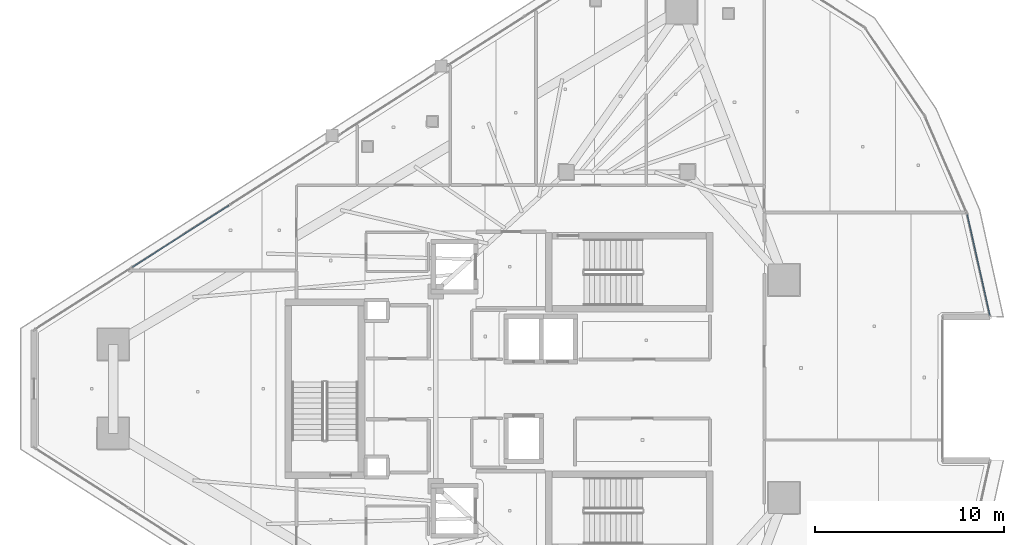
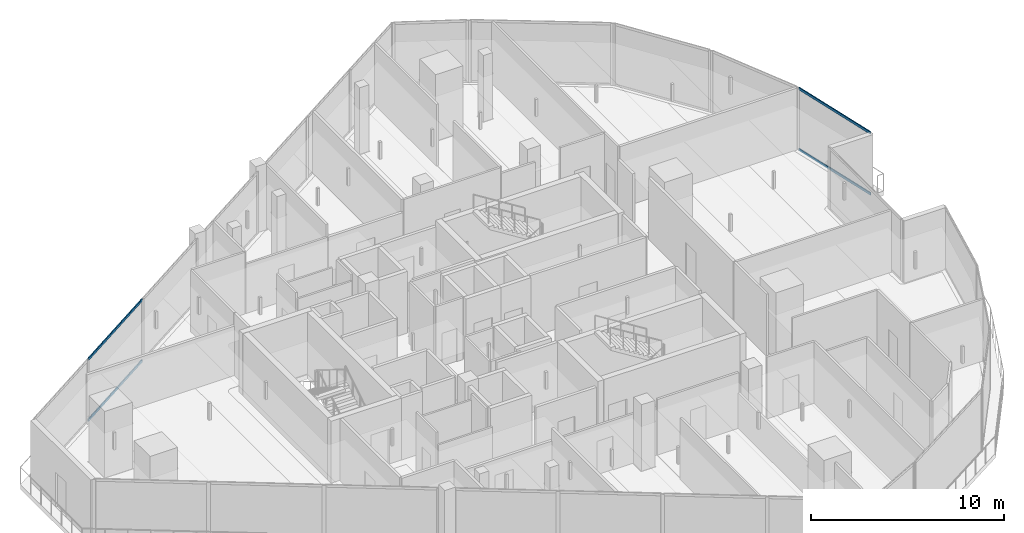
# One storey, part 14 of 33: 4 members, 2 elements without a shape of their own.
"""IFC4 building model written with IfcOpenShell, lengths in metres."""

import ifcopenshell
import ifcopenshell.guid

model = None  # the IFC model being written
_history = None  # IfcOwnerHistory: only IFC2X3 demands one
_inside = {}  # id of a spatial element -> (the spatial element, [elements in it])
_under = {}  # id of a project, library or spatial element -> (it, [spatial elements below it])
_declared = {}  # id of a project -> (the project, [libraries it declares])
_typed = {}  # id of a type object -> (the type object, [elements of that type])
_made_of = {}  # id of a material, layer set ... -> (it, [elements and type objects made of it])


def new_model(schema):
    """Start an empty IFC model of exactly this schema.

    Asked for "IFC4X3", IfcOpenShell would pick the latest addendum, in which some entities
    have other attributes; the version numbers below select the first issue.
    IFC2X3 requires an IfcOwnerHistory on every rooted entity: one is made here for all.
    """
    global model, _history
    if schema == "IFC4X3":
        model = ifcopenshell.file(schema_version=(4, 3, 0, 0))
    else:
        model = ifcopenshell.file(schema=schema)
    _inside.clear()
    _under.clear()
    _declared.clear()
    _typed.clear()
    _made_of.clear()
    _history = None
    if model.schema == "IFC2X3":
        org = make("IfcOrganization", Name="unknown")
        user = make(
            "IfcPersonAndOrganization",
            ThePerson=make("IfcPerson", FamilyName="unknown"),
            TheOrganization=org,
        )
        app = make(
            "IfcApplication",
            ApplicationDeveloper=org,
            Version="unknown",
            ApplicationFullName="unknown",
            ApplicationIdentifier="unknown",
        )
        _history = make(
            "IfcOwnerHistory",
            OwningUser=user,
            OwningApplication=app,
            ChangeAction="ADDED",
            CreationDate=0,
        )
    return model


def make(cls, **values):
    """One entity of the class cls with the attributes given. An attribute that is None is left unset."""
    return model.create_entity(
        cls, **{name: value for name, value in values.items() if value is not None}
    )


def rooted(cls, **values):
    """An entity with a GlobalId (a new one), such as an element, a storey or a relation."""
    return make(cls, GlobalId=ifcopenshell.guid.new(), OwnerHistory=_history, **values)


def si_unit(unit_type, name, prefix=None):
    """IfcSIUnit, for example si_unit("LENGTHUNIT", "METRE", prefix="MILLI")."""
    return make("IfcSIUnit", UnitType=unit_type, Prefix=prefix, Name=name)


def assignment(units):
    """IfcUnitAssignment: the units of a project."""
    return None if units is None else make("IfcUnitAssignment", Units=units)


def point(xyz):
    """IfcCartesianPoint."""
    return None if xyz is None else make("IfcCartesianPoint", Coordinates=xyz)


def direction(xyz):
    """IfcDirection."""
    return None if xyz is None else make("IfcDirection", DirectionRatios=xyz)


def frame(location, z_axis=None, x_axis=None):
    """IfcAxis2Placement3D, a coordinate frame: its origin and axes. An axis left out is left unset."""
    return make(
        "IfcAxis2Placement3D",
        Location=point(location),
        Axis=direction(z_axis),
        RefDirection=direction(x_axis),
    )


def frame_2d(location, x_axis=None):
    """IfcAxis2Placement2D, a coordinate frame in the plane: its origin and x axis."""
    return make(
        "IfcAxis2Placement2D", Location=point(location), RefDirection=direction(x_axis)
    )


def origin():
    """The frame at (0, 0, 0) with its axes left unset."""
    return frame((0.0, 0.0, 0.0))


def origin_2d():
    """The frame at (0, 0) in the plane with its x axis left unset."""
    return frame_2d((0.0, 0.0))


def place(relative_to, where):
    """IfcLocalPlacement: puts the frame where relative to a parent placement (None: the world)."""
    return make(
        "IfcLocalPlacement", PlacementRelTo=relative_to, RelativePlacement=where
    )


def context(
    kind, dimensions, precision=None, world=None, true_north=None, identifier=None
):
    """IfcGeometricRepresentationContext, for example the 3D "Model" context."""
    return make(
        "IfcGeometricRepresentationContext",
        ContextIdentifier=identifier,
        ContextType=kind,
        CoordinateSpaceDimension=dimensions,
        Precision=precision,
        WorldCoordinateSystem=world,
        TrueNorth=true_north,
    )


def subcontext(parent, identifier, kind, view, scale=None):
    """IfcGeometricRepresentationSubContext, for example "Body" below "Model"."""
    return make(
        "IfcGeometricRepresentationSubContext",
        ContextIdentifier=identifier,
        ContextType=kind,
        ParentContext=parent,
        TargetScale=scale,
        TargetView=view,
    )


def project(units=None, contexts=None):
    """IfcProject with its units and contexts."""
    return rooted(
        "IfcProject",
        Name="project",
        RepresentationContexts=contexts,
        UnitsInContext=assignment(units),
    )


def spatial(cls, under=None, at=None, **own):
    """A site, building, storey or space (cls), placed at a placement, below another one or the project."""
    s = rooted(cls, ObjectPlacement=at, **own)
    if under is not None:
        _under.setdefault(under.id(), (under, []))[1].append(s)
    return s


def profile(cls, at=None, kind="AREA", **sizes):
    """A parametric profile (cls). Its sizes go by their IFC names, for example OverallWidth=200.0."""
    return make(cls, ProfileType=kind, Position=at, **sizes)


def hollow_rectangle(**sizes):
    """IfcRectangleHollowProfileDef."""
    return profile("IfcRectangleHollowProfileDef", **sizes)


def extrude(swept, where, along, depth):
    """IfcExtrudedAreaSolid: the profile swept, set in the frame where, extruded along a direction by depth."""
    return make(
        "IfcExtrudedAreaSolid",
        SweptArea=swept,
        Position=where,
        ExtrudedDirection=direction(along),
        Depth=depth,
    )


def shape(context_of_items, identifier, shape_type, items):
    """IfcShapeRepresentation: the items that make up one representation, for example the "Body"."""
    return make(
        "IfcShapeRepresentation",
        ContextOfItems=context_of_items,
        RepresentationIdentifier=identifier,
        RepresentationType=shape_type,
        Items=items,
    )


def material(Name=None, Category=None):
    """IfcMaterial."""
    return make("IfcMaterial", Name=Name, Category=Category)


def layer(
    of_material, thickness, ventilated=None, Name=None, Category=None, Priority=None
):
    """IfcMaterialLayer: one layer of a wall or slab, of a material (None: an air gap)."""
    return make(
        "IfcMaterialLayer",
        Material=of_material,
        LayerThickness=thickness,
        IsVentilated=ventilated,
        Name=Name,
        Category=Category,
        Priority=Priority,
    )


def layer_set(layers, Name=None):
    """IfcMaterialLayerSet."""
    return make("IfcMaterialLayerSet", MaterialLayers=layers, LayerSetName=Name)


def material_profile(
    of_material, cross_section, Name=None, Category=None, Priority=None
):
    """IfcMaterialProfile: a cross section and its material."""
    return make(
        "IfcMaterialProfile",
        Name=Name,
        Material=of_material,
        Profile=cross_section,
        Priority=Priority,
        Category=Category,
    )


def profile_set(profiles, Name=None, composite=None):
    """IfcMaterialProfileSet."""
    return make(
        "IfcMaterialProfileSet",
        Name=Name,
        MaterialProfiles=profiles,
        CompositeProfile=composite,
    )


def made_of(thing, what):
    """Note that an element or type object is made of a material, layer set ...; save() writes the relation."""
    if what is not None:
        _made_of.setdefault(what.id(), (what, []))[1].append(thing)
    return thing


def type_object(cls, material=None, **own):
    """A type object (cls), such as IfcWallType, which elements share."""
    return made_of(rooted(cls, **own), material)


def element(
    cls,
    number,
    at=None,
    inside=None,
    cuts=None,
    type_object=None,
    material=None,
    context=None,
    identifier="Body",
    shape_type=None,
    held_by="IfcProductDefinitionShape",
    body=None,
    shapes=None,
    **own,
):
    """One element of the class cls, such as IfcWall. Its Tag is "e" and its number.

    at: its placement. inside: the storey or other place that contains it. cuts: it is an
    opening in that element (IfcRelVoidsElement). A single representation is given by context,
    identifier, shape_type and body (its items); several are given by shapes. held_by: the class
    of the entity that holds the representations. save() writes the other relations.
    """
    e = rooted(cls, Tag="e%d" % number, ObjectPlacement=at, **own)
    if body is not None:
        shapes = [shape(context, identifier, shape_type, body)]
    if shapes is not None:
        e.Representation = make(held_by, Representations=shapes)
    if inside is not None:
        _inside.setdefault(inside.id(), (inside, []))[1].append(e)
    if cuts is not None:
        rooted(
            "IfcRelVoidsElement", RelatingBuildingElement=cuts, RelatedOpeningElement=e
        )
    if type_object is not None:
        _typed.setdefault(type_object.id(), (type_object, []))[1].append(e)
    return made_of(e, material)


def aggregate(whole, parts):
    """IfcRelAggregates: a whole, such as a stair, and the parts it consists of."""
    return rooted("IfcRelAggregates", RelatingObject=whole, RelatedObjects=parts)


def save(model, path):
    """Write the relations noted so far, then the file.

    IfcRelAggregates (storeys below a building ...), IfcRelContainedInSpatialStructure (elements
    in a storey), IfcRelDefinesByType, IfcRelAssociatesMaterial and IfcRelDeclares: one each for
    every whole, place, type object, material and project.
    """
    for whole, parts in _under.values():
        aggregate(whole, parts)
    for where, things in _inside.values():
        rooted(
            "IfcRelContainedInSpatialStructure",
            RelatedElements=things,
            RelatingStructure=where,
        )
    for kind, things in _typed.values():
        rooted("IfcRelDefinesByType", RelatedObjects=things, RelatingType=kind)
    for what, things in _made_of.values():
        rooted("IfcRelAssociatesMaterial", RelatedObjects=things, RelatingMaterial=what)
    for by, libraries in _declared.values():
        rooted("IfcRelDeclares", RelatingContext=by, RelatedDefinitions=libraries)
    model.write(path)


model = new_model("IFC4")

# Units and contexts
model_context = context("Model", 3, precision=1e-05, world=origin(), true_north=direction((0.0, 1.0)))
body_context = subcontext(model_context, "Body", "Model", "MODEL_VIEW")
ifc_project = project(units=[si_unit("LENGTHUNIT", "METRE"), si_unit("AREAUNIT", "SQUARE_METRE"), si_unit("VOLUMEUNIT", "CUBIC_METRE"), si_unit("PLANEANGLEUNIT", "RADIAN"), si_unit("MASSUNIT", "GRAM", prefix="KILO")], contexts=[model_context])

# Site, building, storey
site_placement = place(None, origin())
site = spatial("IfcSite", under=ifc_project, at=site_placement, CompositionType="ELEMENT")
building_placement = place(site_placement, origin())
building = spatial("IfcBuilding", under=site, at=building_placement, Name="Qorvath Tower", CompositionType="ELEMENT")
storey_placement = place(building_placement, frame((0.0, 0.0, 280.800048828125)))
storey = spatial("IfcBuildingStorey", under=building, at=storey_placement, Name="L65", CompositionType="ELEMENT", Elevation=280.800048828125)

# Curtain wall, members
ifc_material_1 = material(Name="Anodised aluminium and triple low-E glass", Category="aluminium")
ifc_layer = layer(ifc_material_1, 0.179931640625)
ifc_layer_set = layer_set([ifc_layer], Name="CW-SYS-4")
curtain_wall_type = type_object("IfcCurtainWallType", Name="CW-SYS-4", PredefinedType="NOTDEFINED", material=ifc_layer_set)
curtain_wall_1_placement = place(storey_placement, origin())
curtain_wall_1 = element("IfcCurtainWall", 1, at=curtain_wall_1_placement, inside=storey, type_object=curtain_wall_type, Name="Curtain Wall CW-4 CW-T-L65-11.1", PredefinedType="NOTDEFINED")
ifc_material_2 = material(Name="Anodised aluminium 6063-T6", Category="aluminium")
ifc_material_profile = material_profile(ifc_material_2, hollow_rectangle(XDim=0.06494140625, YDim=0.159912109375, WallThickness=0.00341796875, InnerFilletRadius=0.00341796875, OuterFilletRadius=0.007080078125, at=origin_2d()), Name="CWT 160x65")
ifc_profile_set = profile_set([ifc_material_profile], Name="Anodised aluminium 6063-T6")
member_type = type_object("IfcMemberType", Name="CWT-160", PredefinedType="USERDEFINED", material=ifc_profile_set)
member_1_placement = place(storey_placement, frame((-1.22314453125, 3.864013671875, 0.032470703125), z_axis=(-0.219032274043, 0.975717614337, 0.0), x_axis=(-0.975717614337, -0.219032274043, 0.0)))
member_1 = element("IfcMember", 2, at=member_1_placement, type_object=member_type, Name="CW-4 transom 1.1", ObjectType="TRANSOM", PredefinedType="USERDEFINED", context=body_context, shape_type="SweptSolid", body=[
    extrude(hollow_rectangle(XDim=0.06494140625, YDim=0.159912109375, WallThickness=0.00341796875, InnerFilletRadius=0.00341796875, OuterFilletRadius=0.007080078125, at=origin_2d()), origin(), (0.0, 0.0, 1.0), 5.4716796875),
])
member_2_placement = place(storey_placement, frame((-1.22314453125, 3.864013671875, 3.87744140625), z_axis=(-0.219032274043, 0.975717614337, 0.0), x_axis=(-0.975717614337, -0.219032274043, 0.0)))
member_2 = element("IfcMember", 3, at=member_2_placement, type_object=member_type, Name="CW-4 transom 1.2", ObjectType="TRANSOM", PredefinedType="USERDEFINED", context=body_context, shape_type="SweptSolid", body=[
    extrude(hollow_rectangle(XDim=0.06494140625, YDim=0.159912109375, WallThickness=0.00341796875, InnerFilletRadius=0.00341796875, OuterFilletRadius=0.007080078125, at=origin_2d()), origin(), (0.0, 0.0, 1.0), 5.4716796875),
])
aggregate(curtain_wall_1, [member_1, member_2])

curtain_wall_2_placement = place(storey_placement, origin())
curtain_wall_2 = element("IfcCurtainWall", 4, at=curtain_wall_2_placement, inside=storey, type_object=curtain_wall_type, Name="Curtain Wall CW-4 CW-T-L65-16.3", PredefinedType="NOTDEFINED")
member_3_placement = place(storey_placement, frame((-41.423583984375, 9.688720703125, 0.032470703125), z_axis=(-0.842610905434, -0.538522851923, 0.0), x_axis=(0.538522851923, -0.842610905434, 0.0)))
member_3 = element("IfcMember", 5, at=member_3_placement, type_object=member_type, Name="CW-4 transom 2.1", ObjectType="TRANSOM", PredefinedType="USERDEFINED", context=body_context, shape_type="SweptSolid", body=[
    extrude(hollow_rectangle(XDim=0.06494140625, YDim=0.159912109375, WallThickness=0.00341796875, InnerFilletRadius=0.00341796875, OuterFilletRadius=0.007080078125, at=origin_2d()), origin(), (0.0, 0.0, 1.0), 6.056884765625),
])
member_4_placement = place(storey_placement, frame((-41.423583984375, 9.688720703125, 3.87744140625), z_axis=(-0.842610905434, -0.538522851923, 0.0), x_axis=(0.538522851923, -0.842610905434, 0.0)))
member_4 = element("IfcMember", 6, at=member_4_placement, type_object=member_type, Name="CW-4 transom 2.2", ObjectType="TRANSOM", PredefinedType="USERDEFINED", context=body_context, shape_type="SweptSolid", body=[
    extrude(hollow_rectangle(XDim=0.06494140625, YDim=0.159912109375, WallThickness=0.00341796875, InnerFilletRadius=0.00341796875, OuterFilletRadius=0.007080078125, at=origin_2d()), origin(), (0.0, 0.0, 1.0), 6.056884765625),
])
aggregate(curtain_wall_2, [member_3, member_4])

save(model, "model.ifc")
